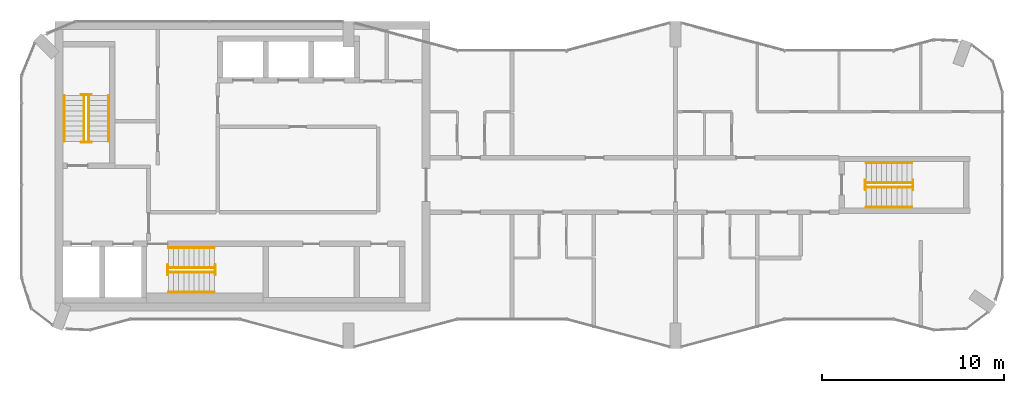
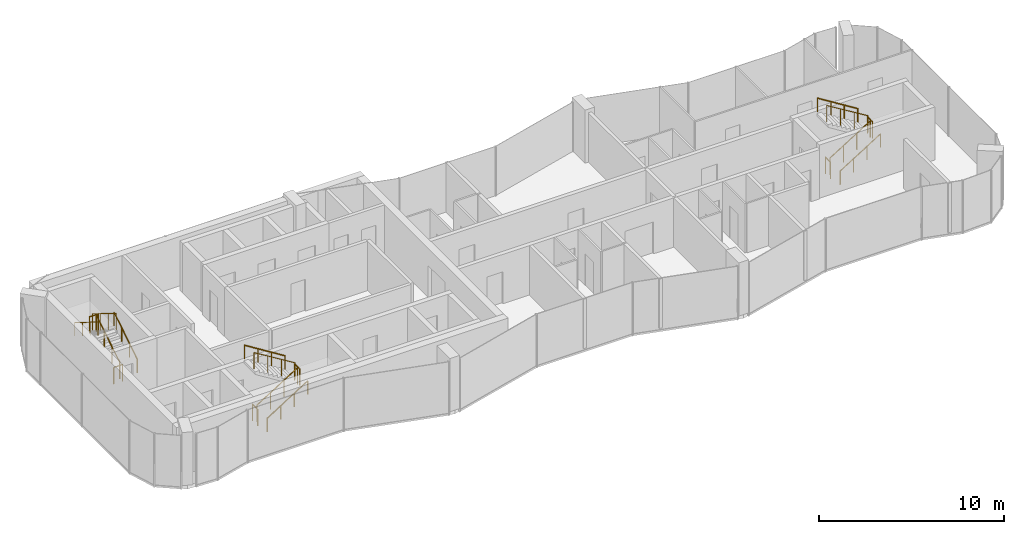
# One storey, part 10 of 10: 18 railings.
"""IFC4 building model written with IfcOpenShell, lengths in metres."""

from ifc_helpers import new_model, si_unit, direction, frame, origin, origin_2d, place, context, subcontext, project, spatial, circle, extrude, material, type_object, element, save


model = new_model("IFC4")

# Units and contexts
model_context = context("Model", 3, precision=1e-05, world=origin(), true_north=direction((0.0, 1.0)))
body_context = subcontext(model_context, "Body", "Model", "MODEL_VIEW")
ifc_project = project(units=[si_unit("LENGTHUNIT", "METRE"), si_unit("AREAUNIT", "SQUARE_METRE"), si_unit("VOLUMEUNIT", "CUBIC_METRE"), si_unit("PLANEANGLEUNIT", "RADIAN"), si_unit("MASSUNIT", "GRAM", prefix="KILO")], contexts=[model_context])

# Site, building, storey
site_placement = place(None, origin())
site = spatial("IfcSite", under=ifc_project, at=site_placement, CompositionType="ELEMENT")
building_placement = place(site_placement, origin())
building = spatial("IfcBuilding", under=site, at=building_placement, Name="Plateau Cross Towers", CompositionType="ELEMENT")
storey_placement = place(building_placement, frame((0.0, 0.0, 270.39990234375)))
storey = spatial("IfcBuildingStorey", under=building, at=storey_placement, Name="L71", CompositionType="ELEMENT", Elevation=270.39990234375)

# Railings
ifc_material_1 = material(Name="Stainless steel and toughened glass", Category="steel")
railing_type_1 = type_object("IfcRailingType", Name="RL-GUARD-1100", PredefinedType="GUARDRAIL", material=ifc_material_1)
railing_1_placement = place(storey_placement, frame((3.699951171875, 11.39990234375, 0.175048828125)))
element("IfcRailing", 1, at=railing_1_placement, inside=storey, type_object=railing_type_1, Name="L71 ST-1 stair guard 1", PredefinedType="GUARDRAIL", context=body_context, shape_type="SweptSolid", body=[
    extrude(circle(Radius=0.02392578125, at=origin_2d()), frame((0.0, 0.0, 1.076171875), z_axis=(0.0, 0.848007534815, 0.529984170421), x_axis=(-1.0, 0.0, 0.0)), (0.0, 0.0, 1.0), 2.9716796875),
    extrude(circle(Radius=0.02099609375, at=origin_2d()), origin(), (0.0, 0.0, 1.0), 1.052001953125),
    extrude(circle(Radius=0.02099609375, at=origin_2d()), frame((0.0, 0.840087890625, 0.52490234375)), (0.0, 0.0, 1.0), 1.052001953125),
    extrude(circle(Radius=0.02099609375, at=origin_2d()), frame((0.0, 1.679931640625, 1.050048828125)), (0.0, 0.0, 1.0), 1.052001953125),
    extrude(circle(Radius=0.02099609375, at=origin_2d()), frame((0.0, 2.52001953125, 1.574951171875)), (0.0, 0.0, 1.0), 1.052001953125),
])
railing_2_placement = place(storey_placement, frame((3.85009765625, 13.969970703125, 1.75)))
element("IfcRailing", 2, at=railing_2_placement, inside=storey, type_object=railing_type_1, Name="L71 ST-1 stair guard 2", PredefinedType="GUARDRAIL", context=body_context, shape_type="SweptSolid", body=[
    extrude(circle(Radius=0.02392578125, at=origin_2d()), frame((0.0, 0.0, 1.076171875), z_axis=(-1.0, 0.0, 0.0), x_axis=(0.0, -1.0, 0.0)), (0.0, 0.0, 1.0), 0.550048828125),
    extrude(circle(Radius=0.02099609375, at=origin_2d()), origin(), (0.0, 0.0, 1.0), 1.052001953125),
    extrude(circle(Radius=0.02099609375, at=origin_2d()), frame((-0.550048828125, 0.0, 0.0)), (0.0, 0.0, 1.0), 1.052001953125),
])
railing_3_placement = place(storey_placement, frame((3.449951171875, 13.919921875, 1.925048828125)))
element("IfcRailing", 3, at=railing_3_placement, inside=storey, type_object=railing_type_1, Name="L71 ST-1 stair guard 3", PredefinedType="GUARDRAIL", context=body_context, shape_type="SweptSolid", body=[
    extrude(circle(Radius=0.02392578125, at=origin_2d()), frame((0.0, 0.0, 1.076171875), z_axis=(0.0, -0.852616386126, 0.522537365276), x_axis=(1.0, 0.0, 0.0)), (0.0, 0.0, 1.0), 3.01416015625),
    extrude(circle(Radius=0.02099609375, at=origin_2d()), origin(), (0.0, 0.0, 1.0), 1.052001953125),
    extrude(circle(Radius=0.02099609375, at=origin_2d()), frame((0.0, -0.856689453125, 0.52490234375)), (0.0, 0.0, 1.0), 1.052001953125),
    extrude(circle(Radius=0.02099609375, at=origin_2d()), frame((0.0, -1.713134765625, 1.050048828125)), (0.0, 0.0, 1.0), 1.052001953125),
    extrude(circle(Radius=0.02099609375, at=origin_2d()), frame((0.0, -2.56982421875, 1.574951171875)), (0.0, 0.0, 1.0), 1.052001953125),
])
railing_4_placement = place(storey_placement, frame((3.85009765625, 11.35009765625, 0.0)))
element("IfcRailing", 4, at=railing_4_placement, inside=storey, type_object=railing_type_1, Name="L71 ST-1 stair guard 4", PredefinedType="GUARDRAIL", context=body_context, shape_type="SweptSolid", body=[
    extrude(circle(Radius=0.02392578125, at=origin_2d()), frame((0.0, 0.0, 1.076171875), z_axis=(-1.0, 0.0, 0.0), x_axis=(0.0, -1.0, 0.0)), (0.0, 0.0, 1.0), 0.550048828125),
    extrude(circle(Radius=0.02099609375, at=origin_2d()), origin(), (0.0, 0.0, 1.0), 1.052001953125),
    extrude(circle(Radius=0.02099609375, at=origin_2d()), frame((-0.550048828125, 0.0, 0.0)), (0.0, 0.0, 1.0), 1.052001953125),
])
railing_5_placement = place(storey_placement, frame((8.10009765625, 4.199951171875, 0.175048828125)))
element("IfcRailing", 5, at=railing_5_placement, inside=storey, type_object=railing_type_1, Name="L71 ST-2 stair guard 1", PredefinedType="GUARDRAIL", context=body_context, shape_type="SweptSolid", body=[
    extrude(circle(Radius=0.02392578125, at=origin_2d()), frame((0.0, 0.0, 1.076171875), z_axis=(0.848007534815, 0.0, 0.529984170421), x_axis=(0.0, 1.0, 0.0)), (0.0, 0.0, 1.0), 2.9716796875),
    extrude(circle(Radius=0.02099609375, at=origin_2d()), origin(), (0.0, 0.0, 1.0), 1.052001953125),
    extrude(circle(Radius=0.02099609375, at=origin_2d()), frame((0.840087890625, 0.0, 0.52490234375)), (0.0, 0.0, 1.0), 1.052001953125),
    extrude(circle(Radius=0.02099609375, at=origin_2d()), frame((1.679931640625, 0.0, 1.050048828125)), (0.0, 0.0, 1.0), 1.052001953125),
    extrude(circle(Radius=0.02099609375, at=origin_2d()), frame((2.52001953125, 0.0, 1.574951171875)), (0.0, 0.0, 1.0), 1.052001953125),
])
railing_6_placement = place(storey_placement, frame((10.669921875, 4.050048828125, 1.75)))
element("IfcRailing", 6, at=railing_6_placement, inside=storey, type_object=railing_type_1, Name="L71 ST-2 stair guard 2", PredefinedType="GUARDRAIL", context=body_context, shape_type="SweptSolid", body=[
    extrude(circle(Radius=0.02392578125, at=origin_2d()), frame((0.0, 0.0, 1.076171875), z_axis=(0.0, 1.0, 0.0), x_axis=(-1.0, 0.0, 0.0)), (0.0, 0.0, 1.0), 0.550048828125),
    extrude(circle(Radius=0.02099609375, at=origin_2d()), origin(), (0.0, 0.0, 1.0), 1.052001953125),
    extrude(circle(Radius=0.02099609375, at=origin_2d()), frame((0.0, 0.550048828125, 0.0)), (0.0, 0.0, 1.0), 1.052001953125),
])
railing_7_placement = place(storey_placement, frame((10.6201171875, 4.449951171875, 1.925048828125)))
element("IfcRailing", 7, at=railing_7_placement, inside=storey, type_object=railing_type_1, Name="L71 ST-2 stair guard 3", PredefinedType="GUARDRAIL", context=body_context, shape_type="SweptSolid", body=[
    extrude(circle(Radius=0.02392578125, at=origin_2d()), frame((0.0, 0.0, 1.076171875), z_axis=(-0.852638500773, 0.0, 0.522501279423), x_axis=(0.0, -1.0, 0.0)), (0.0, 0.0, 1.0), 3.01416015625),
    extrude(circle(Radius=0.02099609375, at=origin_2d()), origin(), (0.0, 0.0, 1.0), 1.052001953125),
    extrude(circle(Radius=0.02099609375, at=origin_2d()), frame((-0.856689453125, 0.0, 0.52490234375)), (0.0, 0.0, 1.0), 1.052001953125),
    extrude(circle(Radius=0.02099609375, at=origin_2d()), frame((-1.71337890625, 0.0, 1.050048828125)), (0.0, 0.0, 1.0), 1.052001953125),
    extrude(circle(Radius=0.02099609375, at=origin_2d()), frame((-2.570068359375, 0.0, 1.574951171875)), (0.0, 0.0, 1.0), 1.052001953125),
])
railing_8_placement = place(storey_placement, frame((8.050048828125, 4.050048828125, 0.0)))
element("IfcRailing", 8, at=railing_8_placement, inside=storey, type_object=railing_type_1, Name="L71 ST-2 stair guard 4", PredefinedType="GUARDRAIL", context=body_context, shape_type="SweptSolid", body=[
    extrude(circle(Radius=0.02392578125, at=origin_2d()), frame((0.0, 0.0, 1.076171875), z_axis=(0.0, 1.0, 0.0), x_axis=(-1.0, 0.0, 0.0)), (0.0, 0.0, 1.0), 0.550048828125),
    extrude(circle(Radius=0.02099609375, at=origin_2d()), origin(), (0.0, 0.0, 1.0), 1.052001953125),
    extrude(circle(Radius=0.02099609375, at=origin_2d()), frame((0.0, 0.550048828125, 0.0)), (0.0, 0.0, 1.0), 1.052001953125),
])
railing_9_placement = place(storey_placement, frame((46.5, 8.875, 0.175048828125)))
element("IfcRailing", 9, at=railing_9_placement, inside=storey, type_object=railing_type_1, Name="L71 ES-E stair guard 1", PredefinedType="GUARDRAIL", context=body_context, shape_type="SweptSolid", body=[
    extrude(circle(Radius=0.02392578125, at=origin_2d()), frame((0.0, 0.0, 1.076171875), z_axis=(0.848007534815, 0.0, 0.529984170421), x_axis=(0.0, 1.0, 0.0)), (0.0, 0.0, 1.0), 2.9716796875),
    extrude(circle(Radius=0.02099609375, at=origin_2d()), origin(), (0.0, 0.0, 1.0), 1.052001953125),
    extrude(circle(Radius=0.02099609375, at=origin_2d()), frame((0.840087890625, 0.0, 0.52490234375)), (0.0, 0.0, 1.0), 1.052001953125),
    extrude(circle(Radius=0.02099609375, at=origin_2d()), frame((1.679931640625, 0.0, 1.050048828125)), (0.0, 0.0, 1.0), 1.052001953125),
    extrude(circle(Radius=0.02099609375, at=origin_2d()), frame((2.52001953125, 0.0, 1.574951171875)), (0.0, 0.0, 1.0), 1.052001953125),
])
railing_10_placement = place(storey_placement, frame((49.070068359375, 8.72509765625, 1.75)))
element("IfcRailing", 10, at=railing_10_placement, inside=storey, type_object=railing_type_1, Name="L71 ES-E stair guard 2", PredefinedType="GUARDRAIL", context=body_context, shape_type="SweptSolid", body=[
    extrude(circle(Radius=0.02392578125, at=origin_2d()), frame((0.0, 0.0, 1.076171875), z_axis=(0.0, 1.0, 0.0), x_axis=(-1.0, 0.0, 0.0)), (0.0, 0.0, 1.0), 0.5498046875),
    extrude(circle(Radius=0.02099609375, at=origin_2d()), origin(), (0.0, 0.0, 1.0), 1.052001953125),
    extrude(circle(Radius=0.02099609375, at=origin_2d()), frame((0.0, 0.5498046875, 0.0)), (0.0, 0.0, 1.0), 1.052001953125),
])
railing_11_placement = place(storey_placement, frame((49.02001953125, 9.125, 1.925048828125)))
element("IfcRailing", 11, at=railing_11_placement, inside=storey, type_object=railing_type_1, Name="L71 ES-E stair guard 3", PredefinedType="GUARDRAIL", context=body_context, shape_type="SweptSolid", body=[
    extrude(circle(Radius=0.02392578125, at=origin_2d()), frame((0.0, 0.0, 1.076171875), z_axis=(-0.852638500773, 0.0, 0.522501279423), x_axis=(0.0, -1.0, 0.0)), (0.0, 0.0, 1.0), 3.01416015625),
    extrude(circle(Radius=0.02099609375, at=origin_2d()), origin(), (0.0, 0.0, 1.0), 1.052001953125),
    extrude(circle(Radius=0.02099609375, at=origin_2d()), frame((-0.856689453125, 0.0, 0.52490234375)), (0.0, 0.0, 1.0), 1.052001953125),
    extrude(circle(Radius=0.02099609375, at=origin_2d()), frame((-1.71337890625, 0.0, 1.050048828125)), (0.0, 0.0, 1.0), 1.052001953125),
    extrude(circle(Radius=0.02099609375, at=origin_2d()), frame((-2.570068359375, 0.0, 1.574951171875)), (0.0, 0.0, 1.0), 1.052001953125),
])
railing_12_placement = place(storey_placement, frame((46.449951171875, 8.72509765625, 0.0)))
element("IfcRailing", 12, at=railing_12_placement, inside=storey, type_object=railing_type_1, Name="L71 ES-E stair guard 4", PredefinedType="GUARDRAIL", context=body_context, shape_type="SweptSolid", body=[
    extrude(circle(Radius=0.02392578125, at=origin_2d()), frame((0.0, 0.0, 1.076171875), z_axis=(0.0, 1.0, 0.0), x_axis=(-1.0, 0.0, 0.0)), (0.0, 0.0, 1.0), 0.5498046875),
    extrude(circle(Radius=0.02099609375, at=origin_2d()), origin(), (0.0, 0.0, 1.0), 1.052001953125),
    extrude(circle(Radius=0.02099609375, at=origin_2d()), frame((0.0, 0.5498046875, 0.0)), (0.0, 0.0, 1.0), 1.052001953125),
])
ifc_material_2 = material(Name="Black anodised aluminium", Category="aluminium")
railing_type_2 = type_object("IfcRailingType", Name="RL-HANDRAIL-900", PredefinedType="HANDRAIL", material=ifc_material_2)
railing_13_placement = place(storey_placement, frame((4.800048828125, 11.39990234375, 0.175048828125)))
element("IfcRailing", 13, at=railing_13_placement, inside=storey, type_object=railing_type_2, Name="L71 ST-1 stair handrail 1", PredefinedType="HANDRAIL", context=body_context, shape_type="SweptSolid", body=[
    extrude(circle(Radius=0.02392578125, at=origin_2d()), frame((0.0, 0.0, 0.8759765625), z_axis=(0.0, 0.848007534815, 0.529984170421), x_axis=(-1.0, 0.0, 0.0)), (0.0, 0.0, 1.0), 2.9716796875),
    extrude(circle(Radius=0.02099609375, at=origin_2d()), origin(), (0.0, 0.0, 1.0), 0.851806640625),
    extrude(circle(Radius=0.02099609375, at=origin_2d()), frame((0.0, 0.840087890625, 0.52490234375)), (0.0, 0.0, 1.0), 0.851806640625),
    extrude(circle(Radius=0.02099609375, at=origin_2d()), frame((0.0, 1.679931640625, 1.050048828125)), (0.0, 0.0, 1.0), 0.851806640625),
    extrude(circle(Radius=0.02099609375, at=origin_2d()), frame((0.0, 2.52001953125, 1.574951171875)), (0.0, 0.0, 1.0), 0.851806640625),
])
railing_14_placement = place(storey_placement, frame((2.35009765625, 13.919921875, 1.925048828125)))
element("IfcRailing", 14, at=railing_14_placement, inside=storey, type_object=railing_type_2, Name="L71 ST-1 stair handrail 2", PredefinedType="HANDRAIL", context=body_context, shape_type="SweptSolid", body=[
    extrude(circle(Radius=0.02392578125, at=origin_2d()), frame((0.0, 0.0, 0.8759765625), z_axis=(0.0, -0.848007534815, 0.529984170421), x_axis=(1.0, 0.0, 0.0)), (0.0, 0.0, 1.0), 2.9716796875),
    extrude(circle(Radius=0.02099609375, at=origin_2d()), origin(), (0.0, 0.0, 1.0), 0.851806640625),
    extrude(circle(Radius=0.02099609375, at=origin_2d()), frame((0.0, -0.840087890625, 0.52490234375)), (0.0, 0.0, 1.0), 0.851806640625),
    extrude(circle(Radius=0.02099609375, at=origin_2d()), frame((0.0, -1.679931640625, 1.050048828125)), (0.0, 0.0, 1.0), 0.851806640625),
    extrude(circle(Radius=0.02099609375, at=origin_2d()), frame((0.0, -2.52001953125, 1.574951171875)), (0.0, 0.0, 1.0), 0.851806640625),
])
railing_15_placement = place(storey_placement, frame((8.10009765625, 3.10009765625, 0.175048828125)))
element("IfcRailing", 15, at=railing_15_placement, inside=storey, type_object=railing_type_2, Name="L71 ST-2 stair handrail 1", PredefinedType="HANDRAIL", context=body_context, shape_type="SweptSolid", body=[
    extrude(circle(Radius=0.02392578125, at=origin_2d()), frame((0.0, 0.0, 0.8759765625), z_axis=(0.848007534815, 0.0, 0.529984170421), x_axis=(0.0, 1.0, 0.0)), (0.0, 0.0, 1.0), 2.9716796875),
    extrude(circle(Radius=0.02099609375, at=origin_2d()), origin(), (0.0, 0.0, 1.0), 0.851806640625),
    extrude(circle(Radius=0.02099609375, at=origin_2d()), frame((0.840087890625, 0.0, 0.52490234375)), (0.0, 0.0, 1.0), 0.851806640625),
    extrude(circle(Radius=0.02099609375, at=origin_2d()), frame((1.679931640625, 0.0, 1.050048828125)), (0.0, 0.0, 1.0), 0.851806640625),
    extrude(circle(Radius=0.02099609375, at=origin_2d()), frame((2.52001953125, 0.0, 1.574951171875)), (0.0, 0.0, 1.0), 0.851806640625),
])
railing_16_placement = place(storey_placement, frame((10.6201171875, 5.550048828125, 1.925048828125)))
element("IfcRailing", 16, at=railing_16_placement, inside=storey, type_object=railing_type_2, Name="L71 ST-2 stair handrail 2", PredefinedType="HANDRAIL", context=body_context, shape_type="SweptSolid", body=[
    extrude(circle(Radius=0.02392578125, at=origin_2d()), frame((0.0, 0.0, 0.8759765625), z_axis=(-0.848007534815, 0.0, 0.529984170421), x_axis=(0.0, -1.0, 0.0)), (0.0, 0.0, 1.0), 2.9716796875),
    extrude(circle(Radius=0.02099609375, at=origin_2d()), origin(), (0.0, 0.0, 1.0), 0.851806640625),
    extrude(circle(Radius=0.02099609375, at=origin_2d()), frame((-0.840087890625, 0.0, 0.52490234375)), (0.0, 0.0, 1.0), 0.851806640625),
    extrude(circle(Radius=0.02099609375, at=origin_2d()), frame((-1.679931640625, 0.0, 1.050048828125)), (0.0, 0.0, 1.0), 0.851806640625),
    extrude(circle(Radius=0.02099609375, at=origin_2d()), frame((-2.52001953125, 0.0, 1.574951171875)), (0.0, 0.0, 1.0), 0.851806640625),
])
railing_17_placement = place(storey_placement, frame((46.5, 7.77490234375, 0.175048828125)))
element("IfcRailing", 17, at=railing_17_placement, inside=storey, type_object=railing_type_2, Name="L71 ES-E stair handrail 1", PredefinedType="HANDRAIL", context=body_context, shape_type="SweptSolid", body=[
    extrude(circle(Radius=0.02392578125, at=origin_2d()), frame((0.0, 0.0, 0.8759765625), z_axis=(0.848007534815, 0.0, 0.529984170421), x_axis=(0.0, 1.0, 0.0)), (0.0, 0.0, 1.0), 2.9716796875),
    extrude(circle(Radius=0.02099609375, at=origin_2d()), origin(), (0.0, 0.0, 1.0), 0.851806640625),
    extrude(circle(Radius=0.02099609375, at=origin_2d()), frame((0.840087890625, 0.0, 0.52490234375)), (0.0, 0.0, 1.0), 0.851806640625),
    extrude(circle(Radius=0.02099609375, at=origin_2d()), frame((1.679931640625, 0.0, 1.050048828125)), (0.0, 0.0, 1.0), 0.851806640625),
    extrude(circle(Radius=0.02099609375, at=origin_2d()), frame((2.52001953125, 0.0, 1.574951171875)), (0.0, 0.0, 1.0), 0.851806640625),
])
railing_18_placement = place(storey_placement, frame((49.02001953125, 10.22509765625, 1.925048828125)))
element("IfcRailing", 18, at=railing_18_placement, inside=storey, type_object=railing_type_2, Name="L71 ES-E stair handrail 2", PredefinedType="HANDRAIL", context=body_context, shape_type="SweptSolid", body=[
    extrude(circle(Radius=0.02392578125, at=origin_2d()), frame((0.0, 0.0, 0.8759765625), z_axis=(-0.848007534815, 0.0, 0.529984170421), x_axis=(0.0, -1.0, 0.0)), (0.0, 0.0, 1.0), 2.9716796875),
    extrude(circle(Radius=0.02099609375, at=origin_2d()), origin(), (0.0, 0.0, 1.0), 0.851806640625),
    extrude(circle(Radius=0.02099609375, at=origin_2d()), frame((-0.840087890625, 0.0, 0.52490234375)), (0.0, 0.0, 1.0), 0.851806640625),
    extrude(circle(Radius=0.02099609375, at=origin_2d()), frame((-1.679931640625, 0.0, 1.050048828125)), (0.0, 0.0, 1.0), 0.851806640625),
    extrude(circle(Radius=0.02099609375, at=origin_2d()), frame((-2.52001953125, 0.0, 1.574951171875)), (0.0, 0.0, 1.0), 0.851806640625),
])

save(model, "model.ifc")
